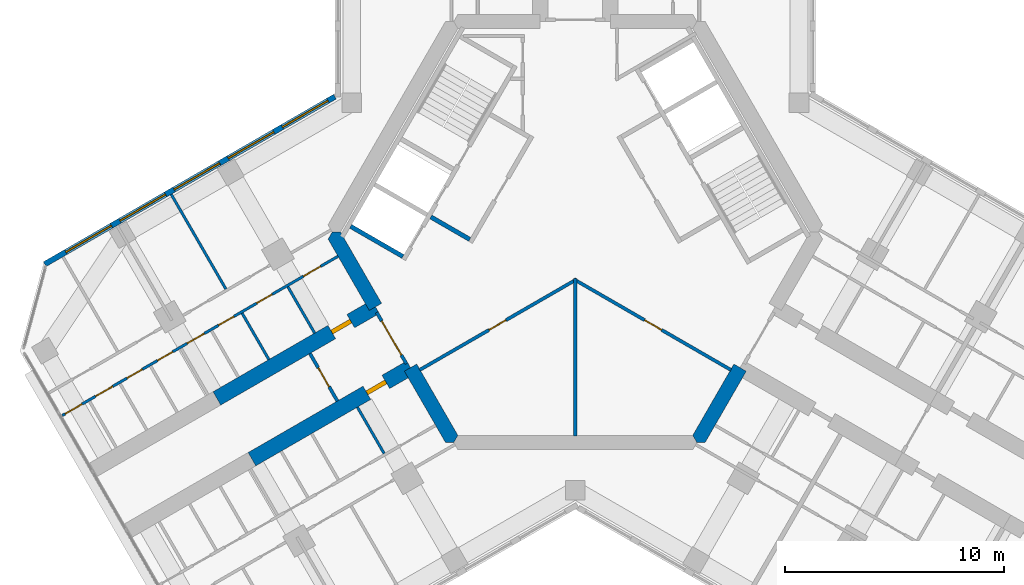
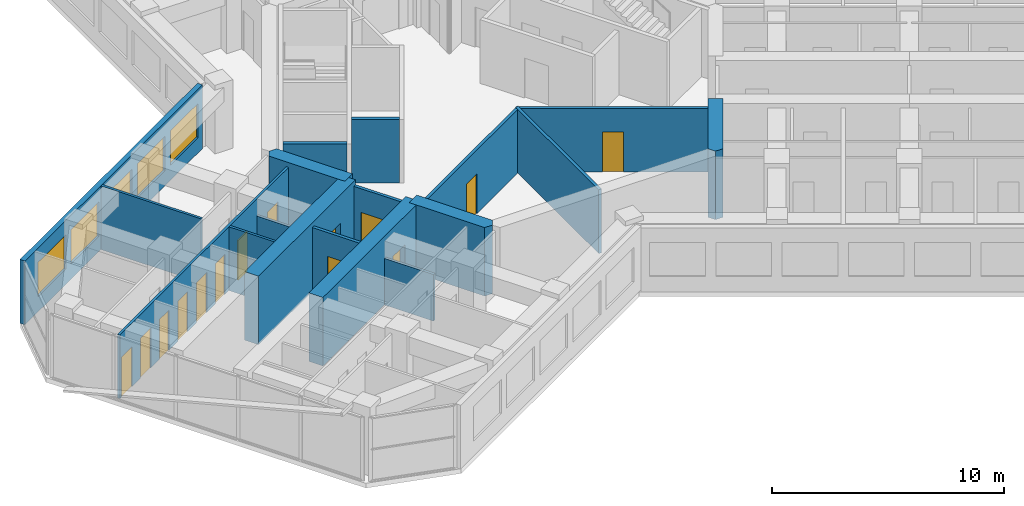
# One storey, part 9 of 16: 18 walls, 14 doors, 5 windows, 19 openings.
"""IFC4 building model written with IfcOpenShell, lengths in metres."""

from ifc_helpers import new_model, si_unit, direction, frame, frame_2d, origin, place, context, subcontext, project, spatial, polyline, rectangle, outline, extrude, material, layer, layer_set, type_object, element, fill, save


model = new_model("IFC4")

# Units and contexts
model_context = context("Model", 3, precision=1e-05, world=origin(), true_north=direction((0.0, 1.0)))
body_context = subcontext(model_context, "Body", "Model", "MODEL_VIEW")
ifc_project = project(units=[si_unit("LENGTHUNIT", "METRE"), si_unit("AREAUNIT", "SQUARE_METRE"), si_unit("VOLUMEUNIT", "CUBIC_METRE"), si_unit("PLANEANGLEUNIT", "RADIAN"), si_unit("MASSUNIT", "GRAM", prefix="KILO")], contexts=[model_context])

# Site, building, storey
site_placement = place(None, origin())
site = spatial("IfcSite", under=ifc_project, at=site_placement, CompositionType="ELEMENT")
building_placement = place(site_placement, origin())
building = spatial("IfcBuilding", under=site, at=building_placement, Name="Kosmar Iwan School Tower", CompositionType="ELEMENT")
storey_placement = place(building_placement, frame((0.0, 0.0, 222.60009765625)))
storey = spatial("IfcBuildingStorey", under=building, at=storey_placement, Name="L56", CompositionType="ELEMENT", Elevation=222.60009765625)

# Wall
ifc_material_1 = material(Name="Gypsum board on steel studs, fire-rated", Category="steel")
ifc_layer_1 = layer(ifc_material_1, 0.14990234375)
ifc_layer_set_1 = layer_set([ifc_layer_1], Name="Core room partition 150")
wall_type_1 = type_object("IfcWallType", Name="Core room partition 150", PredefinedType="PARTITIONING", material=ifc_layer_set_1)
wall_1_placement = place(storey_placement, frame((0.0, -9.294921875, 0.0), z_axis=(0.0, 0.0, 1.0), x_axis=(0.0, 1.0, 0.0)))
element("IfcWall", 1, at=wall_1_placement, inside=storey, type_object=wall_type_1, Name="Core room partition L56-CW5", PredefinedType="PARTITIONING", context=body_context, shape_type="SweptSolid", body=[
    extrude(rectangle(XDim=7.176025390625, YDim=0.14990234375, at=frame_2d((3.587890625, 0.0))), origin(), (0.0, 0.0, 1.0), 3.349853515625),
])

# Wall, opening, door
wall_2_placement = place(storey_placement, frame((-0.06494140625, -2.156494140625, 0.0), z_axis=(0.0, 0.0, 1.0), x_axis=(0.866024394272, -0.500001748523, 0.0)))
wall_2 = element("IfcWall", 2, at=wall_2_placement, inside=storey, type_object=wall_type_1, Name="Core room partition L56-CW6", PredefinedType="PARTITIONING", context=body_context, shape_type="SweptSolid", body=[
    extrude(rectangle(XDim=8.27294921875, YDim=0.14990234375, at=frame_2d((4.136474609375, 0.0))), origin(), (0.0, 0.0, 1.0), 3.349853515625),
])
opening_1_placement = place(wall_2_placement, frame((3.721923828125, 0.0, 0.0)))
opening_1 = element("IfcOpeningElement", 3, at=opening_1_placement, cuts=wall_2, Name="Opening D14", PredefinedType="OPENING", context=body_context, shape_type="SweptSolid", body=[
    extrude(rectangle(XDim=0.89990234375, YDim=2.10009765625, at=frame_2d((0.449951171875, 1.050048828125))), frame((0.0, 0.0869140625, 0.0), z_axis=(0.0, -1.0, 0.0), x_axis=(1.0, 0.0, 0.0)), (0.0, 0.0, 1.0), 0.173828125),
])
ifc_material_2 = material(Name="Timber fire door in steel frame", Category="steel")
door_type_1 = type_object("IfcDoorType", Name="Core room door 900x2100", OperationType="SINGLE_SWING_LEFT", PredefinedType="DOOR", material=ifc_material_2)
door_1_placement = place(opening_1_placement, origin())
door_1 = element("IfcDoor", 4, at=door_1_placement, inside=storey, type_object=door_type_1, Name="Residents' laundry room door L56 3", OperationType="SINGLE_SWING_RIGHT", OverallHeight=2.10009765625, OverallWidth=0.89990234375, PredefinedType="DOOR", context=body_context, shape_type="SweptSolid", body=[
    extrude(rectangle(XDim=0.89990234375, YDim=2.10009765625, at=frame_2d((0.449951171875, 1.050048828125))), frame((0.0, 0.02490234375, 0.0), z_axis=(0.0, -1.0, 0.0), x_axis=(1.0, 0.0, 0.0)), (0.0, 0.0, 1.0), 0.050048828125),
])
fill(opening_1, door_1)

wall_3_placement = place(storey_placement, frame((-7.099609375, -6.29296875, 0.0), z_axis=(0.0, 0.0, 1.0), x_axis=(0.866024394272, 0.500001748523, 0.0)))
wall_3 = element("IfcWall", 5, at=wall_3_placement, inside=storey, type_object=wall_type_1, Name="Core room partition L56-CW7", PredefinedType="PARTITIONING", context=body_context, shape_type="SweptSolid", body=[
    extrude(rectangle(XDim=8.27294921875, YDim=0.14990234375, at=frame_2d((4.136474609375, 0.0))), origin(), (0.0, 0.0, 1.0), 3.349853515625),
])
opening_2_placement = place(wall_3_placement, frame((3.652099609375, 0.0, 0.0)))
opening_2 = element("IfcOpeningElement", 6, at=opening_2_placement, cuts=wall_3, Name="Opening D14", PredefinedType="OPENING", context=body_context, shape_type="SweptSolid", body=[
    extrude(rectangle(XDim=0.89990234375, YDim=2.10009765625, at=frame_2d((0.449951171875, 1.050048828125))), frame((0.0, 0.0869140625, 0.0), z_axis=(0.0, -1.0, 0.0), x_axis=(1.0, 0.0, 0.0)), (0.0, 0.0, 1.0), 0.173828125),
])
door_2_placement = place(opening_2_placement, origin())
door_2 = element("IfcDoor", 7, at=door_2_placement, inside=storey, type_object=door_type_1, Name="Bulky waste store door L56 4", OperationType="SINGLE_SWING_LEFT", OverallHeight=2.10009765625, OverallWidth=0.89990234375, PredefinedType="DOOR", context=body_context, shape_type="SweptSolid", body=[
    extrude(rectangle(XDim=0.89990234375, YDim=2.10009765625, at=frame_2d((0.449951171875, 1.050048828125))), frame((0.0, 0.02490234375, 0.0), z_axis=(0.0, -1.0, 0.0), x_axis=(1.0, 0.0, 0.0)), (0.0, 0.0, 1.0), 0.050048828125),
])
fill(opening_2, door_2)

# Walls
ifc_material_3 = material(Name="Concrete C50/60", Category="concrete")
ifc_layer_2 = layer(ifc_material_3, 0.64990234375)
ifc_layer_set_2 = layer_set([ifc_layer_2], Name="Core wall 650")
wall_type_2 = type_object("IfcWallType", Name="Core wall 650", PredefinedType="SHEAR", material=ifc_layer_set_2)
wall_4_placement = place(storey_placement, origin())
element("IfcWall", 8, at=wall_4_placement, inside=storey, type_object=wall_type_2, Name="Core wall F210a", PredefinedType="SHEAR", context=body_context, shape_type="SweptSolid", body=[
    extrude(outline(polyline([(-9.395263671875, -3.576904296875), (-8.832275390625, -3.251953125), (-10.7099609375, 0.0), (-11.085205078125, 0.0), (-11.272705078125, -0.324951171875), (-9.395263671875, -3.576904296875)])), origin(), (0.0, 0.0, 1.0), 3.599853515625),
])
wall_5_placement = place(storey_placement, origin())
element("IfcWall", 9, at=wall_5_placement, inside=storey, type_object=wall_type_2, Name="Core wall F210b", PredefinedType="SHEAR", context=body_context, shape_type="SweptSolid", body=[
    extrude(outline(polyline([(-5.917724609375, -9.60009765625), (-5.54248046875, -9.60009765625), (-5.35498046875, -9.27490234375), (-7.232421875, -6.023193359375), (-7.79541015625, -6.34814453125), (-5.917724609375, -9.60009765625)])), origin(), (0.0, 0.0, 1.0), 3.599853515625),
])
wall_6_placement = place(storey_placement, origin())
element("IfcWall", 10, at=wall_6_placement, inside=storey, type_object=wall_type_2, Name="Core wall F330a", PredefinedType="SHEAR", context=body_context, shape_type="SweptSolid", body=[
    extrude(outline(polyline([(5.54248046875, -9.60009765625), (5.917724609375, -9.60009765625), (7.79541015625, -6.34814453125), (7.232421875, -6.023193359375), (5.35498046875, -9.27490234375), (5.54248046875, -9.60009765625)])), origin(), (0.0, 0.0, 1.0), 3.599853515625),
])

# Wall, opening, door
ifc_material_4 = material(Name="Concrete C50/60", Category="concrete")
ifc_layer_3 = layer(ifc_material_4, 0.699951171875)
ifc_layer_set_3 = layer_set([ifc_layer_3], Name="Corridor buttress wall 700")
wall_type_3 = type_object("IfcWallType", Name="Corridor buttress wall 700", PredefinedType="SHEAR", material=ifc_layer_set_3)
wall_7_placement = place(storey_placement, frame((-7.513916015625, -6.185546875, 0.0), z_axis=(0.0, 0.0, 1.0), x_axis=(-0.866019549707, -0.500010139422, 0.0)))
wall_7 = element("IfcWall", 11, at=wall_7_placement, inside=storey, type_object=wall_type_3, Name="Corridor wall BL", PredefinedType="SHEAR", context=body_context, shape_type="SweptSolid", body=[
    extrude(rectangle(XDim=8.349853515625, YDim=0.699951171875, at=frame_2d((4.1748046875, 0.0))), origin(), (0.0, 0.0, 1.0), 3.599853515625),
])
opening_3_placement = place(wall_7_placement, frame((1.300048828125, 0.0, 0.0)))
opening_3 = element("IfcOpeningElement", 12, at=opening_3_placement, cuts=wall_7, Name="Opening D1", PredefinedType="OPENING", context=body_context, shape_type="SweptSolid", body=[
    extrude(rectangle(XDim=1.0, YDim=2.10009765625, at=frame_2d((0.5, 1.050048828125))), frame((0.0, 0.362060546875, 0.0), z_axis=(0.0, -1.0, 0.0), x_axis=(1.0, 0.0, 0.0)), (0.0, 0.0, 1.0), 0.723876953125),
])
ifc_material_5 = material(Name="Timber fire door in steel frame", Category="steel")
door_type_2 = type_object("IfcDoorType", Name="Flat entrance door 1000x2100", OperationType="SINGLE_SWING_LEFT", PredefinedType="DOOR", material=ifc_material_5)
door_3_placement = place(opening_3_placement, origin())
door_3 = element("IfcDoor", 13, at=door_3_placement, inside=storey, type_object=door_type_2, Name="Flat L56-BL1 entrance door", OperationType="SINGLE_SWING_RIGHT", OverallHeight=2.10009765625, OverallWidth=1.0, PredefinedType="DOOR", context=body_context, shape_type="SweptSolid", body=[
    extrude(rectangle(XDim=1.0, YDim=2.10009765625, at=frame_2d((0.5, 1.050048828125))), frame((0.0, 0.10009765625, 0.0), z_axis=(0.0, -1.0, 0.0), x_axis=(1.0, 0.0, 0.0)), (0.0, 0.0, 1.0), 0.199951171875),
])
fill(opening_3, door_3)

wall_8_placement = place(storey_placement, frame((-9.11376953125, -3.414306640625, 0.0), z_axis=(0.0, 0.0, 1.0), x_axis=(-0.866026859388, -0.499997478812, 0.0)))
wall_8 = element("IfcWall", 14, at=wall_8_placement, inside=storey, type_object=wall_type_3, Name="Corridor wall BR", PredefinedType="SHEAR", context=body_context, shape_type="SweptSolid", body=[
    extrude(rectangle(XDim=8.35009765625, YDim=0.699951171875, at=frame_2d((4.175048828125, 0.0))), origin(), (0.0, 0.0, 1.0), 3.599853515625),
])
opening_4_placement = place(wall_8_placement, frame((1.300048828125, 0.0, 0.0)))
opening_4 = element("IfcOpeningElement", 15, at=opening_4_placement, cuts=wall_8, Name="Opening D1", PredefinedType="OPENING", context=body_context, shape_type="SweptSolid", body=[
    extrude(rectangle(XDim=1.0, YDim=2.10009765625, at=frame_2d((0.5, 1.050048828125))), frame((0.0, 0.362060546875, 0.0), z_axis=(0.0, -1.0, 0.0), x_axis=(1.0, 0.0, 0.0)), (0.0, 0.0, 1.0), 0.723876953125),
])
door_4_placement = place(opening_4_placement, origin())
door_4 = element("IfcDoor", 16, at=door_4_placement, inside=storey, type_object=door_type_2, Name="Flat L56-BR1 entrance door", OperationType="SINGLE_SWING_LEFT", OverallHeight=2.10009765625, OverallWidth=1.0, PredefinedType="DOOR", context=body_context, shape_type="SweptSolid", body=[
    extrude(rectangle(XDim=1.0, YDim=2.10009765625, at=frame_2d((0.5, 1.050048828125))), frame((0.0, 0.10009765625, 0.0), z_axis=(0.0, -1.0, 0.0), x_axis=(1.0, 0.0, 0.0)), (0.0, 0.0, 1.0), 0.199951171875),
])
fill(opening_4, door_4)

ifc_material_6 = material(Name="Gypsum board on steel studs, fire-rated", Category="steel")
ifc_layer_4 = layer(ifc_material_6, 0.14990234375)
ifc_layer_set_4 = layer_set([ifc_layer_4], Name="Corridor end wall 150")
wall_type_4 = type_object("IfcWallType", Name="Corridor end wall 150", PredefinedType="PARTITIONING", material=ifc_layer_set_4)
wall_9_placement = place(storey_placement, frame((-12.099853515625, -5.54248046875, 0.0), z_axis=(0.0, 0.0, 1.0), x_axis=(0.500004234368, -0.866022959057, 0.0)))
wall_9 = element("IfcWall", 17, at=wall_9_placement, inside=storey, type_object=wall_type_4, Name="Partition L56-B-CE", PredefinedType="PARTITIONING", context=body_context, shape_type="SweptSolid", body=[
    extrude(rectangle(XDim=2.5, YDim=0.14990234375, at=frame_2d((1.25, 0.0))), origin(), (0.0, 0.0, 1.0), 3.349853515625),
])
opening_5_placement = place(wall_9_placement, frame((0.75, 0.0, 0.0)))
opening_5 = element("IfcOpeningElement", 18, at=opening_5_placement, cuts=wall_9, Name="Opening D13", PredefinedType="OPENING", context=body_context, shape_type="SweptSolid", body=[
    extrude(rectangle(XDim=1.0, YDim=2.10009765625, at=frame_2d((0.5, 1.050048828125))), frame((0.0, 0.0869140625, 0.0), z_axis=(0.0, -1.0, 0.0), x_axis=(1.0, 0.0, 0.0)), (0.0, 0.0, 1.0), 0.173828125),
])
ifc_material_7 = material(Name="Timber fire door with vision panel", Category="wood")
door_type_3 = type_object("IfcDoorType", Name="Corridor end door 1000x2100", OperationType="SINGLE_SWING_LEFT", PredefinedType="DOOR", material=ifc_material_7)
door_5_placement = place(opening_5_placement, origin())
door_5 = element("IfcDoor", 19, at=door_5_placement, inside=storey, type_object=door_type_3, Name="Hobby workshop door L56-B", OperationType="SINGLE_SWING_RIGHT", OverallHeight=2.10009765625, OverallWidth=1.0, PredefinedType="DOOR", context=body_context, shape_type="SweptSolid", body=[
    extrude(rectangle(XDim=1.0, YDim=2.10009765625, at=frame_2d((0.5, 1.050048828125))), frame((0.0, 0.02490234375, 0.0), z_axis=(0.0, -1.0, 0.0), x_axis=(1.0, 0.0, 0.0)), (0.0, 0.0, 1.0), 0.050048828125),
])
fill(opening_5, door_5)

ifc_material_8 = material(Name="Steel framed glazed screen", Category="steel")
ifc_layer_5 = layer(ifc_material_8, 0.14990234375)
ifc_layer_set_5 = layer_set([ifc_layer_5], Name="Corridor screen wall 150")
wall_type_5 = type_object("IfcWallType", Name="Corridor screen wall 150", PredefinedType="PARTITIONING", material=ifc_layer_set_5)
wall_10_placement = place(storey_placement, frame((-9.0537109375, -3.66845703125, 0.0), z_axis=(0.0, 0.0, 1.0), x_axis=(0.499980770555, -0.866036505625, 0.0)))
wall_10 = element("IfcWall", 20, at=wall_10_placement, inside=storey, type_object=wall_type_5, Name="Corridor screen B L56", PredefinedType="PARTITIONING", context=body_context, shape_type="SweptSolid", body=[
    extrude(rectangle(XDim=2.69970703125, YDim=0.14990234375, at=frame_2d((1.349853515625, 0.0))), origin(), (0.0, 0.0, 1.0), 3.349853515625),
])
opening_6_placement = place(wall_10_placement, frame((0.449951171875, 0.0, 0.0)))
opening_6 = element("IfcOpeningElement", 21, at=opening_6_placement, cuts=wall_10, Name="Opening D9", PredefinedType="OPENING", context=body_context, shape_type="SweptSolid", body=[
    extrude(rectangle(XDim=1.800048828125, YDim=2.10009765625, at=frame_2d((0.89990234375, 1.050048828125))), frame((0.0, 0.0869140625, 0.0), z_axis=(0.0, -1.0, 0.0), x_axis=(1.0, 0.0, 0.0)), (0.0, 0.0, 1.0), 0.173828125),
])
ifc_material_9 = material(Name="Steel framed glazed smoke door", Category="steel")
door_type_4 = type_object("IfcDoorType", Name="Corridor smoke door pair 1800x2100", OperationType="DOUBLE_DOOR_DOUBLE_SWING", PredefinedType="DOOR", material=ifc_material_9)
door_6_placement = place(opening_6_placement, origin())
door_6 = element("IfcDoor", 22, at=door_6_placement, inside=storey, type_object=door_type_4, Name="Corridor doors B L56", OperationType="DOUBLE_DOOR_DOUBLE_SWING", OverallHeight=2.10009765625, OverallWidth=1.800048828125, PredefinedType="DOOR", context=body_context, shape_type="SweptSolid", body=[
    extrude(rectangle(XDim=1.800048828125, YDim=2.10009765625, at=frame_2d((0.89990234375, 1.050048828125))), frame((0.0, 0.02490234375, 0.0), z_axis=(0.0, -1.0, 0.0), x_axis=(1.0, 0.0, 0.0)), (0.0, 0.0, 1.0), 0.050048828125),
])
fill(opening_6, door_6)

# Wall
ifc_material_10 = material(Name="Gypsum board on steel studs", Category="steel")
ifc_layer_6 = layer(ifc_material_10, 0.1201171875)
ifc_layer_set_6 = layer_set([ifc_layer_6], Name="Dwelling partition 120")
wall_type_6 = type_object("IfcWallType", Name="Dwelling partition 120", PredefinedType="PARTITIONING", material=ifc_layer_set_6)
wall_11_placement = place(storey_placement, frame((-9.93701171875, -7.98876953125, 0.0), z_axis=(0.0, 0.0, 1.0), x_axis=(0.500077547548, -0.865980627057, 0.0)))
element("IfcWall", 23, at=wall_11_placement, inside=storey, type_object=wall_type_6, Name="Partition L56-BL1-Y1", PredefinedType="PARTITIONING", context=body_context, shape_type="SweptSolid", body=[
    extrude(rectangle(XDim=2.43994140625, YDim=0.1201171875, at=frame_2d((1.219970703125, 0.0))), origin(), (0.0, 0.0, 1.0), 2.449951171875),
])

# Wall, openings, doors
wall_12_placement = place(storey_placement, frame((-10.8203125, -1.108642578125, 0.0), z_axis=(0.0, 0.0, 1.0), x_axis=(-0.866025425371, -0.499999962611, 0.0)))
wall_12 = element("IfcWall", 24, at=wall_12_placement, inside=storey, type_object=wall_type_6, Name="Partition L56-BR1-W1", PredefinedType="PARTITIONING", context=body_context, shape_type="SweptSolid", body=[
    extrude(rectangle(XDim=14.52001953125, YDim=0.1201171875, at=frame_2d((7.260009765625, 0.0))), origin(), (0.0, 0.0, 1.0), 3.349853515625),
])
opening_7_placement = place(wall_12_placement, frame((0.925048828125, 0.0, 0.0)))
opening_7 = element("IfcOpeningElement", 25, at=opening_7_placement, cuts=wall_12, Name="Opening D2", PredefinedType="OPENING", context=body_context, shape_type="SweptSolid", body=[
    extrude(rectangle(XDim=0.89990234375, YDim=2.10009765625, at=frame_2d((0.449951171875, 1.050048828125))), frame((0.0, 0.072021484375, 0.0), z_axis=(0.0, -1.0, 0.0), x_axis=(1.0, 0.0, 0.0)), (0.0, 0.0, 1.0), 0.14404296875),
])
opening_8_placement = place(wall_12_placement, frame((3.47998046875, 0.0, 0.0)))
opening_8 = element("IfcOpeningElement", 26, at=opening_8_placement, cuts=wall_12, Name="Opening D3", PredefinedType="OPENING", context=body_context, shape_type="SweptSolid", body=[
    extrude(rectangle(XDim=0.800048828125, YDim=2.10009765625, at=frame_2d((0.39990234375, 1.050048828125))), frame((0.0, 0.072021484375, 0.0), z_axis=(0.0, -1.0, 0.0), x_axis=(1.0, 0.0, 0.0)), (0.0, 0.0, 1.0), 0.14404296875),
])
opening_9_placement = place(wall_12_placement, frame((5.48828125, 0.0, 0.0)))
opening_9 = element("IfcOpeningElement", 27, at=opening_9_placement, cuts=wall_12, Name="Opening D3", PredefinedType="OPENING", context=body_context, shape_type="SweptSolid", body=[
    extrude(rectangle(XDim=0.800048828125, YDim=2.10009765625, at=frame_2d((0.39990234375, 1.050048828125))), frame((0.0, 0.072021484375, 0.0), z_axis=(0.0, -1.0, 0.0), x_axis=(1.0, 0.0, 0.0)), (0.0, 0.0, 1.0), 0.14404296875),
])
opening_10_placement = place(wall_12_placement, frame((7.044921875, 0.0, 0.0)))
opening_10 = element("IfcOpeningElement", 28, at=opening_10_placement, cuts=wall_12, Name="Opening D2", PredefinedType="OPENING", context=body_context, shape_type="SweptSolid", body=[
    extrude(rectangle(XDim=0.89990234375, YDim=2.10009765625, at=frame_2d((0.449951171875, 1.050048828125))), frame((0.0, 0.072021484375, 0.0), z_axis=(0.0, -1.0, 0.0), x_axis=(1.0, 0.0, 0.0)), (0.0, 0.0, 1.0), 0.14404296875),
])
opening_11_placement = place(wall_12_placement, frame((8.70166015625, 0.0, 0.0)))
opening_11 = element("IfcOpeningElement", 29, at=opening_11_placement, cuts=wall_12, Name="Opening D3", PredefinedType="OPENING", context=body_context, shape_type="SweptSolid", body=[
    extrude(rectangle(XDim=0.800048828125, YDim=2.10009765625, at=frame_2d((0.39990234375, 1.050048828125))), frame((0.0, 0.072021484375, 0.0), z_axis=(0.0, -1.0, 0.0), x_axis=(1.0, 0.0, 0.0)), (0.0, 0.0, 1.0), 0.14404296875),
])
opening_12_placement = place(wall_12_placement, frame((10.308349609375, 0.0, 0.0)))
opening_12 = element("IfcOpeningElement", 30, at=opening_12_placement, cuts=wall_12, Name="Opening D3", PredefinedType="OPENING", context=body_context, shape_type="SweptSolid", body=[
    extrude(rectangle(XDim=0.800048828125, YDim=2.10009765625, at=frame_2d((0.39990234375, 1.050048828125))), frame((0.0, 0.072021484375, 0.0), z_axis=(0.0, -1.0, 0.0), x_axis=(1.0, 0.0, 0.0)), (0.0, 0.0, 1.0), 0.14404296875),
])
opening_13_placement = place(wall_12_placement, frame((11.864990234375, 0.0, 0.0)))
opening_13 = element("IfcOpeningElement", 31, at=opening_13_placement, cuts=wall_12, Name="Opening D2", PredefinedType="OPENING", context=body_context, shape_type="SweptSolid", body=[
    extrude(rectangle(XDim=0.89990234375, YDim=2.10009765625, at=frame_2d((0.449951171875, 1.050048828125))), frame((0.0, 0.072021484375, 0.0), z_axis=(0.0, -1.0, 0.0), x_axis=(1.0, 0.0, 0.0)), (0.0, 0.0, 1.0), 0.14404296875),
])
opening_14_placement = place(wall_12_placement, frame((13.4716796875, 0.0, 0.0)))
opening_14 = element("IfcOpeningElement", 32, at=opening_14_placement, cuts=wall_12, Name="Opening D2", PredefinedType="OPENING", context=body_context, shape_type="SweptSolid", body=[
    extrude(rectangle(XDim=0.89990234375, YDim=2.10009765625, at=frame_2d((0.449951171875, 1.050048828125))), frame((0.0, 0.072021484375, 0.0), z_axis=(0.0, -1.0, 0.0), x_axis=(1.0, 0.0, 0.0)), (0.0, 0.0, 1.0), 0.14404296875),
])
ifc_material_11 = material(Name="Timber door in timber frame", Category="wood")
door_type_5 = type_object("IfcDoorType", Name="Internal door 900x2100", OperationType="SINGLE_SWING_LEFT", PredefinedType="DOOR", material=ifc_material_11)
door_7_placement = place(opening_7_placement, origin())
door_7 = element("IfcDoor", 33, at=door_7_placement, inside=storey, type_object=door_type_5, Name="Entrance hall door L56-BR1-S1", OperationType="SINGLE_SWING_LEFT", OverallHeight=2.10009765625, OverallWidth=0.89990234375, PredefinedType="DOOR", context=body_context, shape_type="SweptSolid", body=[
    extrude(rectangle(XDim=0.89990234375, YDim=2.10009765625, at=frame_2d((0.449951171875, 1.050048828125))), frame((0.0, 0.02490234375, 0.0), z_axis=(0.0, -1.0, 0.0), x_axis=(1.0, 0.0, 0.0)), (0.0, 0.0, 1.0), 0.050048828125),
])
fill(opening_7, door_7)
door_8_placement = place(opening_10_placement, origin())
door_8 = element("IfcDoor", 34, at=door_8_placement, inside=storey, type_object=door_type_5, Name="Pantry door L56-BR1-S4", OperationType="SINGLE_SWING_RIGHT", OverallHeight=2.10009765625, OverallWidth=0.89990234375, PredefinedType="DOOR", context=body_context, shape_type="SweptSolid", body=[
    extrude(rectangle(XDim=0.89990234375, YDim=2.10009765625, at=frame_2d((0.449951171875, 1.050048828125))), frame((0.0, 0.02490234375, 0.0), z_axis=(0.0, -1.0, 0.0), x_axis=(1.0, 0.0, 0.0)), (0.0, 0.0, 1.0), 0.050048828125),
])
fill(opening_10, door_8)
door_9_placement = place(opening_13_placement, origin())
door_9 = element("IfcDoor", 35, at=door_9_placement, inside=storey, type_object=door_type_5, Name="Utility room door L56-BR1-S7", OperationType="SINGLE_SWING_LEFT", OverallHeight=2.10009765625, OverallWidth=0.89990234375, PredefinedType="DOOR", context=body_context, shape_type="SweptSolid", body=[
    extrude(rectangle(XDim=0.89990234375, YDim=2.10009765625, at=frame_2d((0.449951171875, 1.050048828125))), frame((0.0, 0.02490234375, 0.0), z_axis=(0.0, -1.0, 0.0), x_axis=(1.0, 0.0, 0.0)), (0.0, 0.0, 1.0), 0.050048828125),
])
fill(opening_13, door_9)
door_10_placement = place(opening_14_placement, origin())
door_10 = element("IfcDoor", 36, at=door_10_placement, inside=storey, type_object=door_type_5, Name="Dressing room door L56-BR1-S8", OperationType="SINGLE_SWING_RIGHT", OverallHeight=2.10009765625, OverallWidth=0.89990234375, PredefinedType="DOOR", context=body_context, shape_type="SweptSolid", body=[
    extrude(rectangle(XDim=0.89990234375, YDim=2.10009765625, at=frame_2d((0.449951171875, 1.050048828125))), frame((0.0, 0.02490234375, 0.0), z_axis=(0.0, -1.0, 0.0), x_axis=(1.0, 0.0, 0.0)), (0.0, 0.0, 1.0), 0.050048828125),
])
fill(opening_14, door_10)
ifc_material_12 = material(Name="Timber door in timber frame", Category="wood")
door_type_6 = type_object("IfcDoorType", Name="Sanitary room door 800x2100", OperationType="SINGLE_SWING_LEFT", PredefinedType="DOOR", material=ifc_material_12)
door_11_placement = place(opening_8_placement, origin())
door_11 = element("IfcDoor", 37, at=door_11_placement, inside=storey, type_object=door_type_6, Name="Bathroom door L56-BR1-S2", OperationType="SINGLE_SWING_RIGHT", OverallHeight=2.10009765625, OverallWidth=0.800048828125, PredefinedType="DOOR", context=body_context, shape_type="SweptSolid", body=[
    extrude(rectangle(XDim=0.800048828125, YDim=2.10009765625, at=frame_2d((0.39990234375, 1.050048828125))), frame((0.0, 0.02490234375, 0.0), z_axis=(0.0, -1.0, 0.0), x_axis=(1.0, 0.0, 0.0)), (0.0, 0.0, 1.0), 0.050048828125),
])
fill(opening_8, door_11)
door_12_placement = place(opening_9_placement, origin())
door_12 = element("IfcDoor", 38, at=door_12_placement, inside=storey, type_object=door_type_6, Name="Shower room door L56-BR1-S3", OperationType="SINGLE_SWING_LEFT", OverallHeight=2.10009765625, OverallWidth=0.800048828125, PredefinedType="DOOR", context=body_context, shape_type="SweptSolid", body=[
    extrude(rectangle(XDim=0.800048828125, YDim=2.10009765625, at=frame_2d((0.39990234375, 1.050048828125))), frame((0.0, 0.02490234375, 0.0), z_axis=(0.0, -1.0, 0.0), x_axis=(1.0, 0.0, 0.0)), (0.0, 0.0, 1.0), 0.050048828125),
])
fill(opening_9, door_12)
door_13_placement = place(opening_11_placement, origin())
door_13 = element("IfcDoor", 39, at=door_13_placement, inside=storey, type_object=door_type_6, Name="WC door L56-BR1-S5", OperationType="SINGLE_SWING_LEFT", OverallHeight=2.10009765625, OverallWidth=0.800048828125, PredefinedType="DOOR", context=body_context, shape_type="SweptSolid", body=[
    extrude(rectangle(XDim=0.800048828125, YDim=2.10009765625, at=frame_2d((0.39990234375, 1.050048828125))), frame((0.0, 0.02490234375, 0.0), z_axis=(0.0, -1.0, 0.0), x_axis=(1.0, 0.0, 0.0)), (0.0, 0.0, 1.0), 0.050048828125),
])
fill(opening_11, door_13)
door_14_placement = place(opening_12_placement, origin())
door_14 = element("IfcDoor", 40, at=door_14_placement, inside=storey, type_object=door_type_6, Name="Store door L56-BR1-S6", OperationType="SINGLE_SWING_RIGHT", OverallHeight=2.10009765625, OverallWidth=0.800048828125, PredefinedType="DOOR", context=body_context, shape_type="SweptSolid", body=[
    extrude(rectangle(XDim=0.800048828125, YDim=2.10009765625, at=frame_2d((0.39990234375, 1.050048828125))), frame((0.0, 0.02490234375, 0.0), z_axis=(0.0, -1.0, 0.0), x_axis=(1.0, 0.0, 0.0)), (0.0, 0.0, 1.0), 0.050048828125),
])
fill(opening_12, door_14)

# Walls
wall_13_placement = place(storey_placement, frame((-15.931884765625, -2.60498046875, 0.0), z_axis=(0.0, 0.0, 1.0), x_axis=(-0.500011847778, 0.866018563358, 0.0)))
element("IfcWall", 41, at=wall_13_placement, inside=storey, type_object=wall_type_6, Name="Partition L56-BR1-X1", PredefinedType="PARTITIONING", context=body_context, shape_type="SweptSolid", body=[
    extrude(rectangle(XDim=4.990234375, YDim=0.1201171875, at=frame_2d((2.4951171875, 0.0))), origin(), (0.0, 0.0, 1.0), 3.349853515625),
])
wall_14_placement = place(storey_placement, frame((-11.886962890625, -4.611328125, 0.0), z_axis=(0.0, 0.0, 1.0), x_axis=(-0.499959183527, 0.866048967903, 0.0)))
element("IfcWall", 42, at=wall_14_placement, inside=storey, type_object=wall_type_6, Name="Partition L56-BR1-Y1", PredefinedType="PARTITIONING", context=body_context, shape_type="SweptSolid", body=[
    extrude(rectangle(XDim=2.440185546875, YDim=0.1201171875, at=frame_2d((1.22021484375, 0.0))), origin(), (0.0, 0.0, 1.0), 2.449951171875),
])
wall_15_placement = place(storey_placement, frame((-13.97412109375, -5.816162109375, 0.0), z_axis=(0.0, 0.0, 1.0), x_axis=(-0.500002508028, 0.866023955769, 0.0)))
element("IfcWall", 43, at=wall_15_placement, inside=storey, type_object=wall_type_6, Name="Partition L56-BR1-Y2", PredefinedType="PARTITIONING", context=body_context, shape_type="SweptSolid", body=[
    extrude(rectangle(XDim=2.43994140625, YDim=0.1201171875, at=frame_2d((1.219970703125, 0.0))), origin(), (0.0, 0.0, 1.0), 3.349853515625),
])

# Wall, openings, windows
ifc_material_13 = material(Name="Black aluminium rainscreen on insulated framing", Category="aluminium")
ifc_layer_7 = layer(ifc_material_13, 0.25)
ifc_layer_set_7 = layer_set([ifc_layer_7], Name="External wall rainscreen 250")
wall_type_7 = type_object("IfcWallType", Name="External wall rainscreen 250", PredefinedType="SOLIDWALL", material=ifc_layer_set_7)
wall_16_placement = place(storey_placement, frame((-10.962890625, 6.170166015625, 0.0), z_axis=(0.0, 0.0, 1.0), x_axis=(-0.866025637253, -0.499999595621, 0.0)))
wall_16 = element("IfcWall", 44, at=wall_16_placement, inside=storey, type_object=wall_type_7, Name="External wall BR L56", PredefinedType="SOLIDWALL", context=body_context, shape_type="SweptSolid", body=[
    extrude(rectangle(XDim=15.2763671875, YDim=0.25, at=frame_2d((7.63818359375, 0.0))), origin(), (0.0, 0.0, 1.0), 3.349853515625),
])
opening_15_placement = place(wall_16_placement, frame((0.365966796875, 0.0, 0.800048828125)))
opening_15 = element("IfcOpeningElement", 45, at=opening_15_placement, cuts=wall_16, Name="Opening W5", PredefinedType="OPENING", context=body_context, shape_type="SweptSolid", body=[
    extrude(rectangle(XDim=2.39990234375, YDim=1.800048828125, at=frame_2d((1.199951171875, 0.89990234375))), frame((0.0, 0.136962890625, 0.0), z_axis=(0.0, -1.0, 0.0), x_axis=(1.0, 0.0, 0.0)), (0.0, 0.0, 1.0), 0.27392578125),
])
opening_16_placement = place(wall_16_placement, frame((3.216064453125, 0.0, 0.800048828125)))
opening_16 = element("IfcOpeningElement", 46, at=opening_16_placement, cuts=wall_16, Name="Opening W5", PredefinedType="OPENING", context=body_context, shape_type="SweptSolid", body=[
    extrude(rectangle(XDim=2.39990234375, YDim=1.800048828125, at=frame_2d((1.199951171875, 0.89990234375))), frame((0.0, 0.136962890625, 0.0), z_axis=(0.0, -1.0, 0.0), x_axis=(1.0, 0.0, 0.0)), (0.0, 0.0, 1.0), 0.27392578125),
])
opening_17_placement = place(wall_16_placement, frame((6.06591796875, 0.0, 0.800048828125)))
opening_17 = element("IfcOpeningElement", 47, at=opening_17_placement, cuts=wall_16, Name="Opening W5", PredefinedType="OPENING", context=body_context, shape_type="SweptSolid", body=[
    extrude(rectangle(XDim=2.39990234375, YDim=1.800048828125, at=frame_2d((1.199951171875, 0.89990234375))), frame((0.0, 0.136962890625, 0.0), z_axis=(0.0, -1.0, 0.0), x_axis=(1.0, 0.0, 0.0)), (0.0, 0.0, 1.0), 0.27392578125),
])
opening_18_placement = place(wall_16_placement, frame((8.916015625, 0.0, 0.800048828125)))
opening_18 = element("IfcOpeningElement", 48, at=opening_18_placement, cuts=wall_16, Name="Opening W5", PredefinedType="OPENING", context=body_context, shape_type="SweptSolid", body=[
    extrude(rectangle(XDim=2.39990234375, YDim=1.800048828125, at=frame_2d((1.199951171875, 0.89990234375))), frame((0.0, 0.136962890625, 0.0), z_axis=(0.0, -1.0, 0.0), x_axis=(1.0, 0.0, 0.0)), (0.0, 0.0, 1.0), 0.27392578125),
])
opening_19_placement = place(wall_16_placement, frame((11.76611328125, 0.0, 0.800048828125)))
opening_19 = element("IfcOpeningElement", 49, at=opening_19_placement, cuts=wall_16, Name="Opening W5", PredefinedType="OPENING", context=body_context, shape_type="SweptSolid", body=[
    extrude(rectangle(XDim=2.39990234375, YDim=1.800048828125, at=frame_2d((1.199951171875, 0.89990234375))), frame((0.0, 0.136962890625, 0.0), z_axis=(0.0, -1.0, 0.0), x_axis=(1.0, 0.0, 0.0)), (0.0, 0.0, 1.0), 0.27392578125),
])
ifc_material_14 = material(Name="Black aluminium frame with dark triple glazing", Category="aluminium")
window_type = type_object("IfcWindowType", Name="Window 2400x1800", PartitioningType="SINGLE_PANEL", PredefinedType="WINDOW", material=ifc_material_14)
window_1_placement = place(opening_15_placement, origin())
window_1 = element("IfcWindow", 50, at=window_1_placement, inside=storey, type_object=window_type, Name="Window BR L56 -1", OverallHeight=1.800048828125, OverallWidth=2.39990234375, PartitioningType="SINGLE_PANEL", PredefinedType="WINDOW", context=body_context, shape_type="SweptSolid", body=[
    extrude(rectangle(XDim=2.39990234375, YDim=1.800048828125, at=frame_2d((1.199951171875, 0.89990234375))), frame((0.0, 0.030029296875, 0.0), z_axis=(0.0, -1.0, 0.0), x_axis=(1.0, 0.0, 0.0)), (0.0, 0.0, 1.0), 0.06005859375),
])
fill(opening_15, window_1)
window_2_placement = place(opening_16_placement, origin())
window_2 = element("IfcWindow", 51, at=window_2_placement, inside=storey, type_object=window_type, Name="Window BR L56 0", OverallHeight=1.800048828125, OverallWidth=2.39990234375, PartitioningType="SINGLE_PANEL", PredefinedType="WINDOW", context=body_context, shape_type="SweptSolid", body=[
    extrude(rectangle(XDim=2.39990234375, YDim=1.800048828125, at=frame_2d((1.199951171875, 0.89990234375))), frame((0.0, 0.030029296875, 0.0), z_axis=(0.0, -1.0, 0.0), x_axis=(1.0, 0.0, 0.0)), (0.0, 0.0, 1.0), 0.06005859375),
])
fill(opening_16, window_2)
window_3_placement = place(opening_17_placement, origin())
window_3 = element("IfcWindow", 52, at=window_3_placement, inside=storey, type_object=window_type, Name="Window BR L56 1", OverallHeight=1.800048828125, OverallWidth=2.39990234375, PartitioningType="SINGLE_PANEL", PredefinedType="WINDOW", context=body_context, shape_type="SweptSolid", body=[
    extrude(rectangle(XDim=2.39990234375, YDim=1.800048828125, at=frame_2d((1.199951171875, 0.89990234375))), frame((0.0, 0.030029296875, 0.0), z_axis=(0.0, -1.0, 0.0), x_axis=(1.0, 0.0, 0.0)), (0.0, 0.0, 1.0), 0.06005859375),
])
fill(opening_17, window_3)
window_4_placement = place(opening_18_placement, origin())
window_4 = element("IfcWindow", 53, at=window_4_placement, inside=storey, type_object=window_type, Name="Window BR L56 2", OverallHeight=1.800048828125, OverallWidth=2.39990234375, PartitioningType="SINGLE_PANEL", PredefinedType="WINDOW", context=body_context, shape_type="SweptSolid", body=[
    extrude(rectangle(XDim=2.39990234375, YDim=1.800048828125, at=frame_2d((1.199951171875, 0.89990234375))), frame((0.0, 0.030029296875, 0.0), z_axis=(0.0, -1.0, 0.0), x_axis=(1.0, 0.0, 0.0)), (0.0, 0.0, 1.0), 0.06005859375),
])
fill(opening_18, window_4)
window_5_placement = place(opening_19_placement, origin())
window_5 = element("IfcWindow", 54, at=window_5_placement, inside=storey, type_object=window_type, Name="Window BR L56 3", OverallHeight=1.800048828125, OverallWidth=2.39990234375, PartitioningType="SINGLE_PANEL", PredefinedType="WINDOW", context=body_context, shape_type="SweptSolid", body=[
    extrude(rectangle(XDim=2.39990234375, YDim=1.800048828125, at=frame_2d((1.199951171875, 0.89990234375))), frame((0.0, 0.030029296875, 0.0), z_axis=(0.0, -1.0, 0.0), x_axis=(1.0, 0.0, 0.0)), (0.0, 0.0, 1.0), 0.06005859375),
])
fill(opening_19, window_5)

# Walls
ifc_material_15 = material(Name="Concrete block masonry", Category="masonry")
ifc_layer_8 = layer(ifc_material_15, 0.199951171875)
ifc_layer_set_8 = layer_set([ifc_layer_8], Name="Fire lobby wall 200")
wall_type_8 = type_object("IfcWallType", Name="Fire lobby wall 200", PredefinedType="PARTITIONING", material=ifc_layer_set_8)
wall_17_placement = place(storey_placement, frame((-4.814208984375, -0.33837890625, 0.0), z_axis=(0.0, 0.0, 1.0), x_axis=(-0.865969381856, 0.500097020274, 0.0)))
element("IfcWall", 55, at=wall_17_placement, inside=storey, type_object=wall_type_8, Name="Firefighting lobby wall ST2", PredefinedType="PARTITIONING", context=body_context, shape_type="SweptSolid", body=[
    extrude(rectangle(XDim=2.0498046875, YDim=0.199951171875, at=frame_2d((1.02490234375, 0.0))), origin(), (0.0, 0.0, 1.0), 3.349853515625),
])
ifc_material_16 = material(Name="Concrete C50/60", Category="concrete")
ifc_layer_9 = layer(ifc_material_16, 0.199951171875)
ifc_layer_set_9 = layer_set([ifc_layer_9], Name="Lift shaft wall 200")
wall_type_9 = type_object("IfcWallType", Name="Lift shaft wall 200", PredefinedType="SHEAR", material=ifc_layer_set_9)
wall_18_placement = place(storey_placement, frame((-7.862548828125, -1.118408203125, 0.0), z_axis=(0.0, 0.0, 1.0), x_axis=(-0.866027397988, 0.499996545922, 0.0)))
element("IfcWall", 56, at=wall_18_placement, inside=storey, type_object=wall_type_9, Name="Lift shaft wall AB 2", PredefinedType="SHEAR", context=body_context, shape_type="SweptSolid", body=[
    extrude(rectangle(XDim=2.75, YDim=0.199951171875, at=frame_2d((1.375, 0.0))), origin(), (0.0, 0.0, 1.0), 3.599853515625),
])

save(model, "model.ifc")
